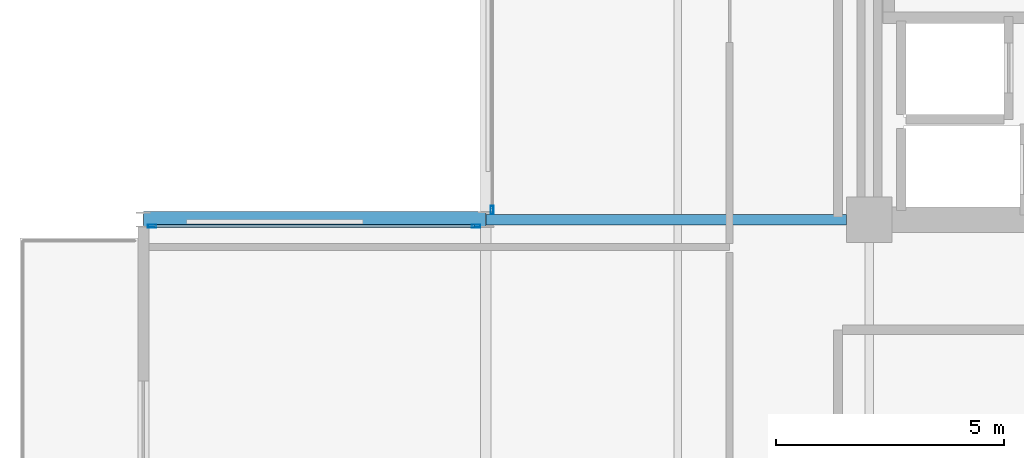
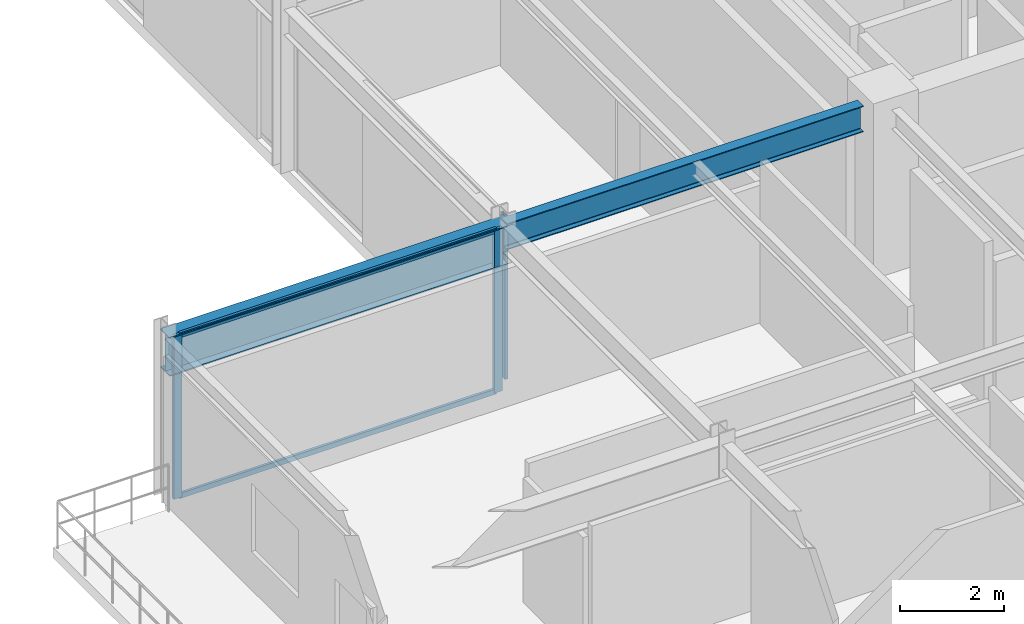
# One storey, part 9 of 29: 5 members, 2 beams, 2 elements without a shape of their own.
"""IFC4 building model written with IfcOpenShell, lengths in metres."""

from ifc_helpers import new_model, si_unit, direction, frame, origin, origin_2d, place, context, subcontext, project, spatial, hollow_rectangle, i_section, extrude, material, layer, layer_set, material_profile, profile_set, type_object, element, aggregate, save


model = new_model("IFC4")

# Units and contexts
model_context = context("Model", 3, precision=1e-05, world=origin(), true_north=direction((0.0, 1.0)))
body_context = subcontext(model_context, "Body", "Model", "MODEL_VIEW")
ifc_project = project(units=[si_unit("LENGTHUNIT", "METRE"), si_unit("AREAUNIT", "SQUARE_METRE"), si_unit("VOLUMEUNIT", "CUBIC_METRE"), si_unit("PLANEANGLEUNIT", "RADIAN"), si_unit("MASSUNIT", "GRAM", prefix="KILO")], contexts=[model_context])

# Site, building, storey
site_placement = place(None, origin())
site = spatial("IfcSite", under=ifc_project, at=site_placement, CompositionType="ELEMENT")
building_placement = place(site_placement, origin())
building = spatial("IfcBuilding", under=site, at=building_placement, Name="Nerrivon Quay Data Exchange", CompositionType="ELEMENT")
storey_placement = place(building_placement, frame((0.0, 0.0, 187.800048828125)))
storey = spatial("IfcBuildingStorey", under=building, at=storey_placement, Name="L44", CompositionType="ELEMENT", Elevation=187.800048828125)

# Beams
ifc_material_1 = material(Name="Steel Grade 350", Category="steel")
ifc_material_profile_1 = material_profile(ifc_material_1, i_section(OverallWidth=0.35009765625, OverallDepth=0.909912109375, WebThickness=0.011962890625, FlangeThickness=0.02490234375, at=origin_2d()), Name="900WB218")
ifc_profile_set_1 = profile_set([ifc_material_profile_1], Name="Steel Grade 350")
beam_type_1 = type_object("IfcBeamType", Name="BM-CANT-900WB", PredefinedType="USERDEFINED", material=ifc_profile_set_1)
beam_1_placement = place(storey_placement, frame((-0.010009765625, 25.199951171875, 3.369873046875), z_axis=(-1.0, 0.0, 0.0), x_axis=(0.0, -1.0, 0.0)))
element("IfcBeam", 1, at=beam_1_placement, inside=storey, type_object=beam_type_1, Name="L44 West Hooked Cantilever Girder Y=25.2", ObjectType="TRANSFER", PredefinedType="USERDEFINED", context=body_context, shape_type="SweptSolid", body=[
    extrude(i_section(OverallWidth=0.35009765625, OverallDepth=0.909912109375, WebThickness=0.011962890625, FlangeThickness=0.02490234375, at=origin_2d()), origin(), (0.0, 0.0, 1.0), 7.482177734375),
])
ifc_material_profile_2 = material_profile(ifc_material_1, i_section(OverallWidth=0.22900390625, OverallDepth=0.612060546875, WebThickness=0.011962890625, FlangeThickness=0.01953125, FilletRadius=0.013916015625, at=origin_2d()), Name="610UB125")
ifc_profile_set_2 = profile_set([ifc_material_profile_2], Name="Steel Grade 350")
beam_type_2 = type_object("IfcBeamType", Name="BM-G1-610UB125", PredefinedType="BEAM", material=ifc_profile_set_2)
beam_2_placement = place(storey_placement, frame((0.010009765625, 25.199951171875, 3.51904296875), z_axis=(1.0, 0.0, 0.0), x_axis=(0.0, 1.0, 0.0)))
element("IfcBeam", 2, at=beam_2_placement, inside=storey, type_object=beam_type_2, Name="L44 EW Girder Y=25.2 (0.0..8.4)", PredefinedType="BEAM", context=body_context, shape_type="SweptSolid", body=[
    extrude(i_section(OverallWidth=0.22900390625, OverallDepth=0.612060546875, WebThickness=0.011962890625, FlangeThickness=0.01953125, FilletRadius=0.013916015625, at=origin_2d()), origin(), (0.0, 0.0, 1.0), 7.889892578125),
])

# Curtain wall, members
ifc_material_2 = material(Name="Anodised aluminium 6063-T6", Category="aluminium")
ifc_layer_1 = layer(ifc_material_2, 0.199951171875)
ifc_layer_set_1 = layer_set([ifc_layer_1], Name="Anodised aluminium 6063-T6")
curtain_wall_type_1 = type_object("IfcCurtainWallType", Name="CW-SYS-04", PredefinedType="NOTDEFINED", material=ifc_layer_set_1)
curtain_wall_1_placement = place(storey_placement, origin())
curtain_wall_1 = element("IfcCurtainWall", 3, at=curtain_wall_1_placement, inside=storey, type_object=curtain_wall_type_1, Name="L44 Unitised Curtain Wall 3", PredefinedType="NOTDEFINED")
ifc_material_profile_3 = material_profile(ifc_material_2, hollow_rectangle(XDim=0.06494140625, YDim=0.179931640625, WallThickness=0.00341796875, at=origin_2d()), Name="ALU-MULL-180x65")
ifc_profile_set_3 = profile_set([ifc_material_profile_3], Name="Anodised aluminium 6063-T6")
member_type_1 = type_object("IfcMemberType", Name="CWM-180x65", PredefinedType="MULLION", material=ifc_profile_set_3)
member_1_placement = place(storey_placement, frame((-7.306884765625, 25.06005859375, 0.0), z_axis=(0.0, 0.0, 1.0), x_axis=(0.0, 1.0, 0.0)))
member_1 = element("IfcMember", 4, at=member_1_placement, type_object=member_type_1, Name="CW04 mullion 1", PredefinedType="MULLION", context=body_context, shape_type="SweptSolid", body=[
    extrude(hollow_rectangle(XDim=0.06494140625, YDim=0.179931640625, WallThickness=0.00341796875, at=origin_2d()), origin(), (0.0, 0.0, 1.0), 3.824951171875),
])
member_2_placement = place(storey_placement, frame((-0.21240234375, 25.06005859375, 0.0), z_axis=(0.0, 0.0, 1.0), x_axis=(0.0, 1.0, 0.0)))
member_2 = element("IfcMember", 5, at=member_2_placement, type_object=member_type_1, Name="CW04 mullion 2", PredefinedType="MULLION", context=body_context, shape_type="SweptSolid", body=[
    extrude(hollow_rectangle(XDim=0.06494140625, YDim=0.179931640625, WallThickness=0.00341796875, at=origin_2d()), origin(), (0.0, 0.0, 1.0), 3.824951171875),
])

# Curtain wall, member
ifc_layer_2 = layer(ifc_material_2, 0.195068359375)
ifc_layer_set_2 = layer_set([ifc_layer_2], Name="Anodised aluminium 6063-T6")
curtain_wall_type_2 = type_object("IfcCurtainWallType", Name="CW-SYS-06", PredefinedType="NOTDEFINED", material=ifc_layer_set_2)
curtain_wall_2_placement = place(storey_placement, origin())
curtain_wall_2 = element("IfcCurtainWall", 6, at=curtain_wall_2_placement, inside=storey, type_object=curtain_wall_type_2, Name="L44 Unitised Curtain Wall 4", PredefinedType="NOTDEFINED")
member_3_placement = place(storey_placement, frame((0.139892578125, 25.41259765625, 0.0), z_axis=(0.0, 0.0, 1.0), x_axis=(-1.0, 0.0, 0.0)))
member_3 = element("IfcMember", 7, at=member_3_placement, type_object=member_type_1, Name="CW06 mullion 1", PredefinedType="MULLION", context=body_context, shape_type="SweptSolid", body=[
    extrude(hollow_rectangle(XDim=0.06494140625, YDim=0.179931640625, WallThickness=0.00341796875, at=origin_2d()), origin(), (0.0, 0.0, 1.0), 3.824951171875),
])
aggregate(curtain_wall_2, [member_3])

# Member
ifc_material_profile_4 = material_profile(ifc_material_2, hollow_rectangle(XDim=0.06005859375, YDim=0.1201171875, WallThickness=0.003173828125, at=origin_2d()), Name="ALU-TRAN-120x60")
ifc_profile_set_4 = profile_set([ifc_material_profile_4], Name="Anodised aluminium 6063-T6")
member_type_2 = type_object("IfcMemberType", Name="CWT-120x60", PredefinedType="USERDEFINED", material=ifc_profile_set_4)
member_4_placement = place(storey_placement, frame((-7.26953125, 25.06005859375, 0.032470703125), z_axis=(1.0, 0.0, 0.0), x_axis=(0.0, 1.0, 0.0)))
member_4 = element("IfcMember", 8, at=member_4_placement, type_object=member_type_2, Name="CW04 transom 1.1", ObjectType="TRANSOM", PredefinedType="USERDEFINED", context=body_context, shape_type="SweptSolid", body=[
    extrude(hollow_rectangle(XDim=0.06005859375, YDim=0.1201171875, WallThickness=0.003173828125, at=origin_2d()), origin(), (0.0, 0.0, 1.0), 7.01953125),
])

member_5_placement = place(storey_placement, frame((-7.26953125, 25.06005859375, 3.79248046875), z_axis=(1.0, 0.0, 0.0), x_axis=(0.0, 1.0, 0.0)))
member_5 = element("IfcMember", 9, at=member_5_placement, type_object=member_type_2, Name="CW04 transom 1.2", ObjectType="TRANSOM", PredefinedType="USERDEFINED", context=body_context, shape_type="SweptSolid", body=[
    extrude(hollow_rectangle(XDim=0.06005859375, YDim=0.1201171875, WallThickness=0.003173828125, at=origin_2d()), origin(), (0.0, 0.0, 1.0), 7.01953125),
])

aggregate(curtain_wall_1, [member_1, member_2, member_4, member_5])

save(model, "model.ifc")
